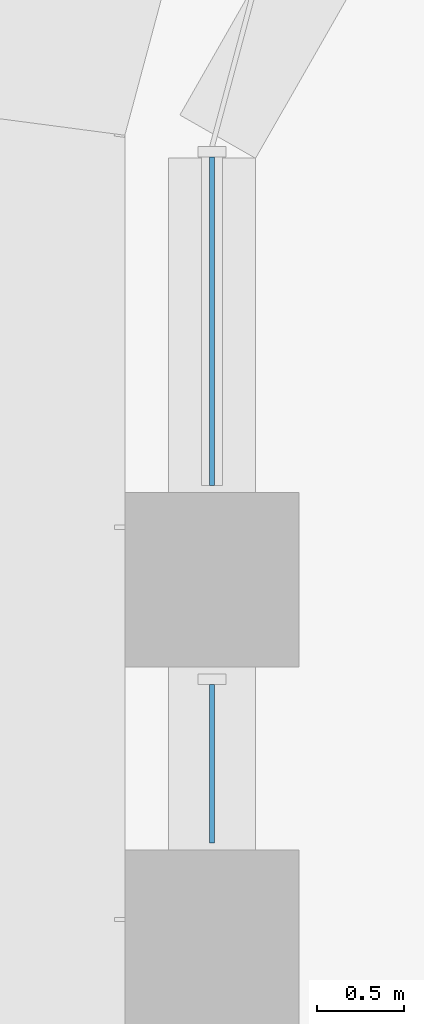
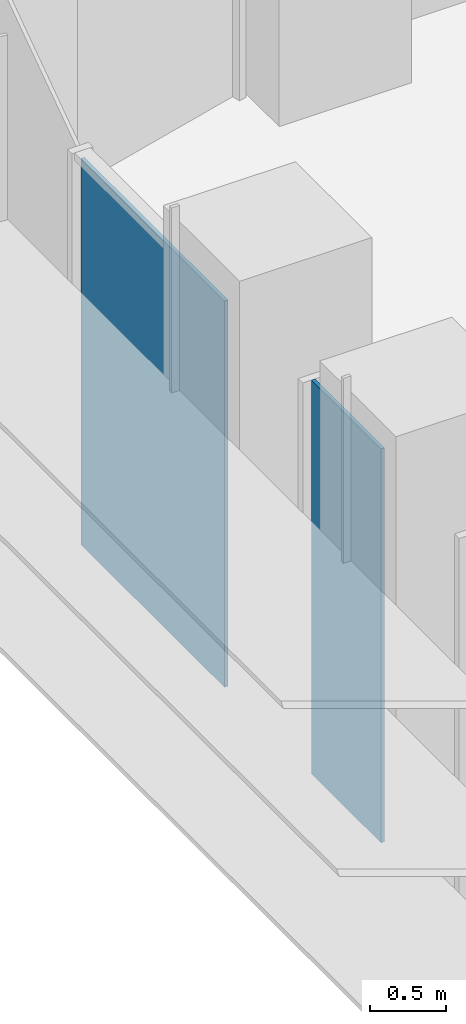
# One storey, part 14 of 23: 2 plates, 1 element without a shape of its own.
"""IFC4 building model written with IfcOpenShell, lengths in metres."""

import ifcopenshell
import ifcopenshell.guid

model = None  # the IFC model being written
_history = None  # IfcOwnerHistory: only IFC2X3 demands one
_inside = {}  # id of a spatial element -> (the spatial element, [elements in it])
_under = {}  # id of a project, library or spatial element -> (it, [spatial elements below it])
_declared = {}  # id of a project -> (the project, [libraries it declares])
_typed = {}  # id of a type object -> (the type object, [elements of that type])
_made_of = {}  # id of a material, layer set ... -> (it, [elements and type objects made of it])


def new_model(schema):
    """Start an empty IFC model of exactly this schema.

    Asked for "IFC4X3", IfcOpenShell would pick the latest addendum, in which some entities
    have other attributes; the version numbers below select the first issue.
    IFC2X3 requires an IfcOwnerHistory on every rooted entity: one is made here for all.
    """
    global model, _history
    if schema == "IFC4X3":
        model = ifcopenshell.file(schema_version=(4, 3, 0, 0))
    else:
        model = ifcopenshell.file(schema=schema)
    _inside.clear()
    _under.clear()
    _declared.clear()
    _typed.clear()
    _made_of.clear()
    _history = None
    if model.schema == "IFC2X3":
        org = make("IfcOrganization", Name="unknown")
        user = make(
            "IfcPersonAndOrganization",
            ThePerson=make("IfcPerson", FamilyName="unknown"),
            TheOrganization=org,
        )
        app = make(
            "IfcApplication",
            ApplicationDeveloper=org,
            Version="unknown",
            ApplicationFullName="unknown",
            ApplicationIdentifier="unknown",
        )
        _history = make(
            "IfcOwnerHistory",
            OwningUser=user,
            OwningApplication=app,
            ChangeAction="ADDED",
            CreationDate=0,
        )
    return model


def make(cls, **values):
    """One entity of the class cls with the attributes given. An attribute that is None is left unset."""
    return model.create_entity(
        cls, **{name: value for name, value in values.items() if value is not None}
    )


def rooted(cls, **values):
    """An entity with a GlobalId (a new one), such as an element, a storey or a relation."""
    return make(cls, GlobalId=ifcopenshell.guid.new(), OwnerHistory=_history, **values)


def si_unit(unit_type, name, prefix=None):
    """IfcSIUnit, for example si_unit("LENGTHUNIT", "METRE", prefix="MILLI")."""
    return make("IfcSIUnit", UnitType=unit_type, Prefix=prefix, Name=name)


def assignment(units):
    """IfcUnitAssignment: the units of a project."""
    return None if units is None else make("IfcUnitAssignment", Units=units)


def point(xyz):
    """IfcCartesianPoint."""
    return None if xyz is None else make("IfcCartesianPoint", Coordinates=xyz)


def direction(xyz):
    """IfcDirection."""
    return None if xyz is None else make("IfcDirection", DirectionRatios=xyz)


def frame(location, z_axis=None, x_axis=None):
    """IfcAxis2Placement3D, a coordinate frame: its origin and axes. An axis left out is left unset."""
    return make(
        "IfcAxis2Placement3D",
        Location=point(location),
        Axis=direction(z_axis),
        RefDirection=direction(x_axis),
    )


def origin():
    """The frame at (0, 0, 0) with its axes left unset."""
    return frame((0.0, 0.0, 0.0))


def place(relative_to, where):
    """IfcLocalPlacement: puts the frame where relative to a parent placement (None: the world)."""
    return make(
        "IfcLocalPlacement", PlacementRelTo=relative_to, RelativePlacement=where
    )


def context(
    kind, dimensions, precision=None, world=None, true_north=None, identifier=None
):
    """IfcGeometricRepresentationContext, for example the 3D "Model" context."""
    return make(
        "IfcGeometricRepresentationContext",
        ContextIdentifier=identifier,
        ContextType=kind,
        CoordinateSpaceDimension=dimensions,
        Precision=precision,
        WorldCoordinateSystem=world,
        TrueNorth=true_north,
    )


def subcontext(parent, identifier, kind, view, scale=None):
    """IfcGeometricRepresentationSubContext, for example "Body" below "Model"."""
    return make(
        "IfcGeometricRepresentationSubContext",
        ContextIdentifier=identifier,
        ContextType=kind,
        ParentContext=parent,
        TargetScale=scale,
        TargetView=view,
    )


def project(units=None, contexts=None):
    """IfcProject with its units and contexts."""
    return rooted(
        "IfcProject",
        Name="project",
        RepresentationContexts=contexts,
        UnitsInContext=assignment(units),
    )


def spatial(cls, under=None, at=None, **own):
    """A site, building, storey or space (cls), placed at a placement, below another one or the project."""
    s = rooted(cls, ObjectPlacement=at, **own)
    if under is not None:
        _under.setdefault(under.id(), (under, []))[1].append(s)
    return s


def polyline(points):
    """IfcPolyline through the points."""
    return make("IfcPolyline", Points=[point(p) for p in points])


def outline(outer, holes=None, kind="AREA"):
    """IfcArbitraryClosedProfileDef: a profile drawn as a closed curve; with holes, ...WithVoids."""
    if holes is None:
        return make("IfcArbitraryClosedProfileDef", ProfileType=kind, OuterCurve=outer)
    return make(
        "IfcArbitraryProfileDefWithVoids",
        ProfileType=kind,
        OuterCurve=outer,
        InnerCurves=holes,
    )


def extrude(swept, where, along, depth):
    """IfcExtrudedAreaSolid: the profile swept, set in the frame where, extruded along a direction by depth."""
    return make(
        "IfcExtrudedAreaSolid",
        SweptArea=swept,
        Position=where,
        ExtrudedDirection=direction(along),
        Depth=depth,
    )


def shape(context_of_items, identifier, shape_type, items):
    """IfcShapeRepresentation: the items that make up one representation, for example the "Body"."""
    return make(
        "IfcShapeRepresentation",
        ContextOfItems=context_of_items,
        RepresentationIdentifier=identifier,
        RepresentationType=shape_type,
        Items=items,
    )


def source(mapping_origin, context_of_items, identifier, shape_type, items):
    """IfcRepresentationMap: a shape defined once, which mapped items show again and again."""
    return make(
        "IfcRepresentationMap",
        MappingOrigin=mapping_origin,
        MappedRepresentation=shape(context_of_items, identifier, shape_type, items),
    )


def transform(
    local_origin,
    x_axis=None,
    y_axis=None,
    z_axis=None,
    scale=None,
    scale2=None,
    scale3=None,
    uniform=True,
):
    """IfcCartesianTransformationOperator3D, or its non-uniform kind. x_axis, y_axis, z_axis: its Axis1, 2, 3."""
    if uniform:
        return make(
            "IfcCartesianTransformationOperator3D",
            Axis1=direction(x_axis),
            Axis2=direction(y_axis),
            LocalOrigin=point(local_origin),
            Scale=scale,
            Axis3=direction(z_axis),
        )
    return make(
        "IfcCartesianTransformationOperator3DnonUniform",
        Axis1=direction(x_axis),
        Axis2=direction(y_axis),
        LocalOrigin=point(local_origin),
        Scale=scale,
        Axis3=direction(z_axis),
        Scale2=scale2,
        Scale3=scale3,
    )


def mapped(mapping_source, mapping_target):
    """IfcMappedItem: shows the shape of a source again, moved by a transform."""
    return make(
        "IfcMappedItem", MappingSource=mapping_source, MappingTarget=mapping_target
    )


def material(Name=None, Category=None):
    """IfcMaterial."""
    return make("IfcMaterial", Name=Name, Category=Category)


def layer(
    of_material, thickness, ventilated=None, Name=None, Category=None, Priority=None
):
    """IfcMaterialLayer: one layer of a wall or slab, of a material (None: an air gap)."""
    return make(
        "IfcMaterialLayer",
        Material=of_material,
        LayerThickness=thickness,
        IsVentilated=ventilated,
        Name=Name,
        Category=Category,
        Priority=Priority,
    )


def layer_set(layers, Name=None):
    """IfcMaterialLayerSet."""
    return make("IfcMaterialLayerSet", MaterialLayers=layers, LayerSetName=Name)


def made_of(thing, what):
    """Note that an element or type object is made of a material, layer set ...; save() writes the relation."""
    if what is not None:
        _made_of.setdefault(what.id(), (what, []))[1].append(thing)
    return thing


def type_object(cls, material=None, **own):
    """A type object (cls), such as IfcWallType, which elements share."""
    return made_of(rooted(cls, **own), material)


def element(
    cls,
    number,
    at=None,
    inside=None,
    cuts=None,
    type_object=None,
    material=None,
    context=None,
    identifier="Body",
    shape_type=None,
    held_by="IfcProductDefinitionShape",
    body=None,
    shapes=None,
    **own,
):
    """One element of the class cls, such as IfcWall. Its Tag is "e" and its number.

    at: its placement. inside: the storey or other place that contains it. cuts: it is an
    opening in that element (IfcRelVoidsElement). A single representation is given by context,
    identifier, shape_type and body (its items); several are given by shapes. held_by: the class
    of the entity that holds the representations. save() writes the other relations.
    """
    e = rooted(cls, Tag="e%d" % number, ObjectPlacement=at, **own)
    if body is not None:
        shapes = [shape(context, identifier, shape_type, body)]
    if shapes is not None:
        e.Representation = make(held_by, Representations=shapes)
    if inside is not None:
        _inside.setdefault(inside.id(), (inside, []))[1].append(e)
    if cuts is not None:
        rooted(
            "IfcRelVoidsElement", RelatingBuildingElement=cuts, RelatedOpeningElement=e
        )
    if type_object is not None:
        _typed.setdefault(type_object.id(), (type_object, []))[1].append(e)
    return made_of(e, material)


def aggregate(whole, parts):
    """IfcRelAggregates: a whole, such as a stair, and the parts it consists of."""
    return rooted("IfcRelAggregates", RelatingObject=whole, RelatedObjects=parts)


def save(model, path):
    """Write the relations noted so far, then the file.

    IfcRelAggregates (storeys below a building ...), IfcRelContainedInSpatialStructure (elements
    in a storey), IfcRelDefinesByType, IfcRelAssociatesMaterial and IfcRelDeclares: one each for
    every whole, place, type object, material and project.
    """
    for whole, parts in _under.values():
        aggregate(whole, parts)
    for where, things in _inside.values():
        rooted(
            "IfcRelContainedInSpatialStructure",
            RelatedElements=things,
            RelatingStructure=where,
        )
    for kind, things in _typed.values():
        rooted("IfcRelDefinesByType", RelatedObjects=things, RelatingType=kind)
    for what, things in _made_of.values():
        rooted("IfcRelAssociatesMaterial", RelatedObjects=things, RelatingMaterial=what)
    for by, libraries in _declared.values():
        rooted("IfcRelDeclares", RelatingContext=by, RelatedDefinitions=libraries)
    model.write(path)


model = new_model("IFC4")

# Units and contexts
model_context = context("Model", 3, precision=1e-05, world=origin(), true_north=direction((0.0, 1.0)))
body_context = subcontext(model_context, "Body", "Model", "MODEL_VIEW")
ifc_project = project(units=[si_unit("LENGTHUNIT", "METRE"), si_unit("AREAUNIT", "SQUARE_METRE"), si_unit("VOLUMEUNIT", "CUBIC_METRE"), si_unit("PLANEANGLEUNIT", "RADIAN"), si_unit("MASSUNIT", "GRAM", prefix="KILO")], contexts=[model_context])

# Site, building, storey
site_placement = place(None, origin())
site = spatial("IfcSite", under=ifc_project, at=site_placement, CompositionType="ELEMENT")
building_placement = place(site_placement, origin())
building = spatial("IfcBuilding", under=site, at=building_placement, Name="Zarbagh Exchange Tower", CompositionType="ELEMENT")
storey_placement = place(building_placement, frame((0.0, 0.0, 52.199951171875)))
storey = spatial("IfcBuildingStorey", under=building, at=storey_placement, Name="L11", CompositionType="ELEMENT", Elevation=52.199951171875)

# Curtain wall, plates
ifc_material_1 = material(Name="Anodised aluminium frame and glazing", Category="aluminium")
curtain_wall_type = type_object("IfcCurtainWallType", Name="CWA Ribbon glazing, lower zones", PredefinedType="NOTDEFINED", material=ifc_material_1)
curtain_wall_placement = place(storey_placement, origin())
curtain_wall = element("IfcCurtainWall", 1, at=curtain_wall_placement, inside=storey, type_object=curtain_wall_type, Name="CWA28 curtain wall", PredefinedType="NOTDEFINED")
ifc_material_2 = material(Name="Low-e double glazed unit, 6+12+6 mm")
ifc_layer = layer(ifc_material_2, 0.028076171875)
ifc_layer_set = layer_set([ifc_layer], Name="PAA Glazing panel, Low-e double glazed unit, 6+12+6 mm")
plate_type = type_object("IfcPlateType", Name="PAA Glazing panel, Low-e double glazed unit, 6+12+6 mm", PredefinedType="CURTAIN_PANEL", material=ifc_layer_set)
shared_shape_1 = source(origin(), body_context, "Body", "SweptSolid", [
    extrude(outline(polyline([(0.0, -0.013916015625), (0.909912109375, -0.013916015625), (0.909912109375, 0.013916015625), (0.0, 0.013916015625), (0.0, -0.013916015625)])), origin(), (0.0, 0.0, 1.0), 3.14990234375),
])
placement = place(storey_placement, origin())
plate_1 = element("IfcPlate", 2, at=placement, type_object=plate_type, Name="CWA28 glazing panel 2.1", PredefinedType="CURTAIN_PANEL", context=body_context, shape_type="MappedRepresentation", body=[
    mapped(shared_shape_1, transform((-6.25, 26.099853515625, 0.0), x_axis=(0.0, -1.0, 0.0), y_axis=(1.0, 0.0, 0.0), z_axis=(0.0, 0.0, 1.0))),
])
shared_shape_2 = source(origin(), body_context, "Body", "SweptSolid", [
    extrude(outline(polyline([(0.0, -0.013916015625), (1.88427734375, -0.013916015625), (1.88427734375, 0.013916015625), (0.0, 0.013916015625), (0.0, -0.013916015625)])), origin(), (0.0, 0.0, 1.0), 3.090087890625),
])
plate_2 = element("IfcPlate", 3, at=placement, type_object=plate_type, Name="CWA28 glazing panel 1.1", PredefinedType="CURTAIN_PANEL", context=body_context, shape_type="MappedRepresentation", body=[
    mapped(shared_shape_2, transform((-6.25, 29.124267578125, 0.0), x_axis=(0.0, -1.0, 0.0), y_axis=(1.0, 0.0, 0.0), z_axis=(0.0, 0.0, 1.0))),
])
aggregate(curtain_wall, [plate_2, plate_1])

save(model, "model.ifc")
